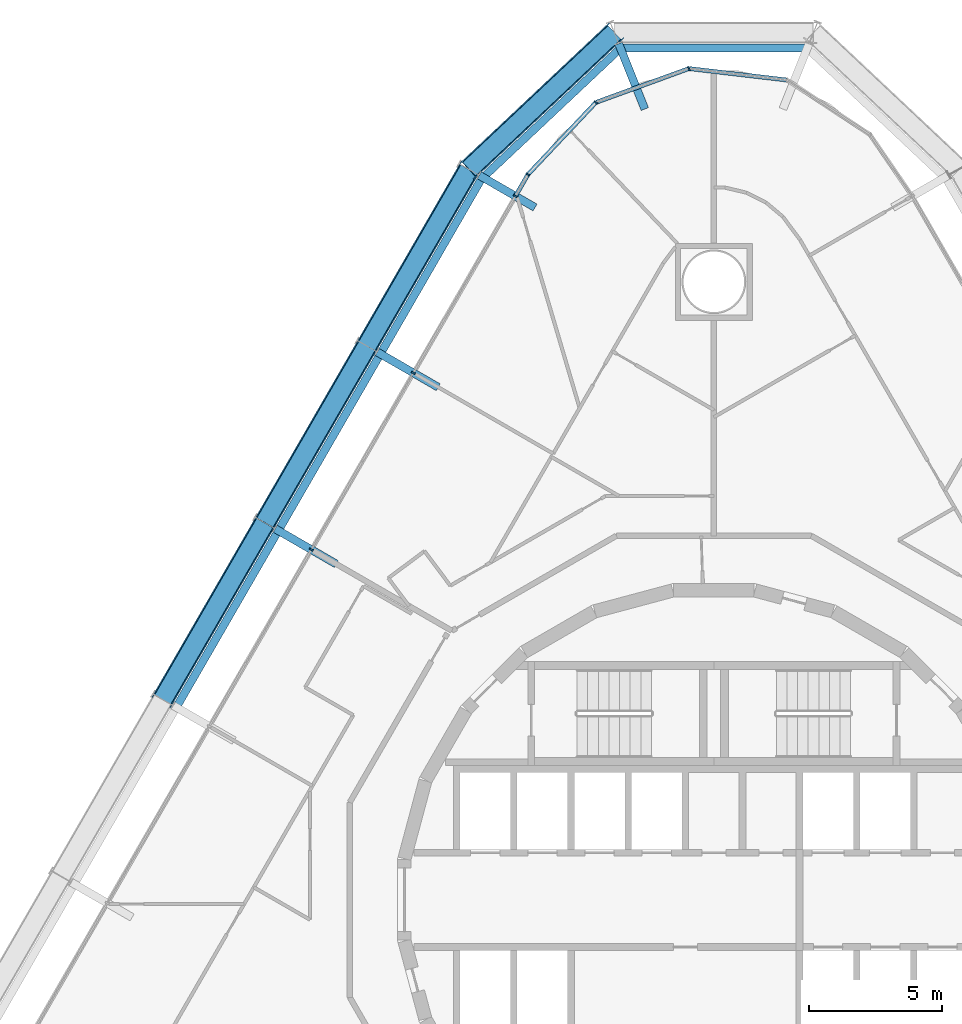
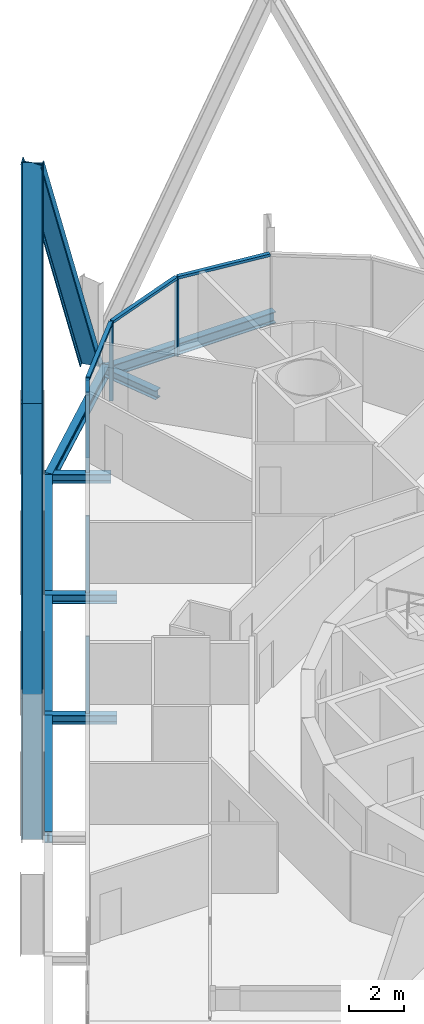
# One storey, part 10 of 21: 14 members, 9 beams, 2 elements without a shape of their own.
"""IFC4 building model written with IfcOpenShell, lengths in metres."""

from ifc_helpers import new_model, si_unit, direction, frame, origin, origin_2d, place, context, subcontext, project, spatial, rectangle, i_section, extrude, material, layer, layer_set, material_profile, profile_set, type_object, element, aggregate, save


model = new_model("IFC4")

# Units and contexts
model_context = context("Model", 3, precision=1e-05, world=origin(), true_north=direction((0.0, 1.0)))
body_context = subcontext(model_context, "Body", "Model", "MODEL_VIEW")
ifc_project = project(units=[si_unit("LENGTHUNIT", "METRE"), si_unit("AREAUNIT", "SQUARE_METRE"), si_unit("VOLUMEUNIT", "CUBIC_METRE"), si_unit("PLANEANGLEUNIT", "RADIAN"), si_unit("MASSUNIT", "GRAM", prefix="KILO")], contexts=[model_context])

# Site, building, storey
site_placement = place(None, origin())
site = spatial("IfcSite", under=ifc_project, at=site_placement, CompositionType="ELEMENT")
building_placement = place(site_placement, origin())
building = spatial("IfcBuilding", under=site, at=building_placement, Name="Spindle Arch Residences", CompositionType="ELEMENT")
storey_placement = place(building_placement, frame((0.0, 0.0, 38.39990234375)))
storey = spatial("IfcBuildingStorey", under=building, at=storey_placement, Name="L07", CompositionType="ELEMENT", Elevation=38.39990234375)

# Curtain wall, members
ifc_material_1 = material(Name="Aluminium bronze unitised frame with tinted glass", Category="aluminium")
ifc_layer_1 = layer(ifc_material_1, 0.159912109375)
ifc_layer_set_1 = layer_set([ifc_layer_1], Name="CW-D corner wall on the fillet arcs")
curtain_wall_type_1 = type_object("IfcCurtainWallType", Name="CW-D corner wall on the fillet arcs", PredefinedType="NOTDEFINED", material=ifc_layer_set_1)
curtain_wall_1_placement = place(storey_placement, origin())
curtain_wall_1 = element("IfcCurtainWall", 1, at=curtain_wall_1_placement, inside=storey, type_object=curtain_wall_type_1, Name="CW-D L07 run 3", PredefinedType="NOTDEFINED")
ifc_material_2 = material(Name="Aluminium bronze anodised mullion", Category="aluminium")
ifc_material_profile_1 = material_profile(ifc_material_2, rectangle(XDim=0.159912109375, YDim=0.06005859375, at=origin_2d()), Name="MU 60x160")
ifc_profile_set_1 = profile_set([ifc_material_profile_1], Name="Aluminium bronze anodised mullion")
member_type_1 = type_object("IfcMemberType", Name="Bronze mullion 60x160", PredefinedType="MULLION", material=ifc_profile_set_1)
member_1_placement = place(storey_placement, frame((-0.93798828125, 31.28515625, -0.449951171875), z_axis=(0.0, 0.0, 1.0), x_axis=(0.342020141538, -0.939692621437, 0.0)))
member_1 = element("IfcMember", 2, at=member_1_placement, type_object=member_type_1, Name="CW-D mullion 03", PredefinedType="MULLION", context=body_context, shape_type="SweptSolid", body=[
    extrude(rectangle(XDim=0.159912109375, YDim=0.06005859375, at=origin_2d()), origin(), (0.0, 0.0, 1.0), 3.449951171875),
])
member_2_placement = place(storey_placement, frame((-4.43994140625, 30.010498046875, -0.449951171875), z_axis=(0.0, 0.0, 1.0), x_axis=(0.727373640284, -0.686241639236, 0.0)))
member_2 = element("IfcMember", 3, at=member_2_placement, type_object=member_type_1, Name="CW-D mullion 04", PredefinedType="MULLION", context=body_context, shape_type="SweptSolid", body=[
    extrude(rectangle(XDim=0.159912109375, YDim=0.06005859375, at=origin_2d()), origin(), (0.0, 0.0, 1.0), 3.449951171875),
])
member_3_placement = place(storey_placement, frame((-6.99755859375, 27.2998046875, -0.449951171875), z_axis=(0.0, 0.0, 1.0), x_axis=(0.866025403784, -0.5, 0.0)))
member_3 = element("IfcMember", 4, at=member_3_placement, type_object=member_type_1, Name="CW-D mullion 05", PredefinedType="MULLION", context=body_context, shape_type="SweptSolid", body=[
    extrude(rectangle(XDim=0.159912109375, YDim=0.06005859375, at=origin_2d()), origin(), (0.0, 0.0, 1.0), 3.449951171875),
])

ifc_material_3 = material(Name="Aluminium bronze unitised frame with tinted glass", Category="aluminium")
ifc_layer_2 = layer(ifc_material_3, 0.159912109375)
ifc_layer_set_2 = layer_set([ifc_layer_2], Name="CW-C typical residential unitised wall")
curtain_wall_type_2 = type_object("IfcCurtainWallType", Name="CW-C typical residential unitised wall", PredefinedType="NOTDEFINED", material=ifc_layer_set_2)
curtain_wall_2_placement = place(storey_placement, origin())
curtain_wall_2 = element("IfcCurtainWall", 5, at=curtain_wall_2_placement, inside=storey, type_object=curtain_wall_type_2, Name="CW-C L07 run 4", PredefinedType="NOTDEFINED")
member_4_placement = place(storey_placement, frame((-7.46923828125, 26.48291015625, -0.449951171875), z_axis=(0.0, 0.0, 1.0), x_axis=(0.866025403784, -0.5, 0.0)))
member_4 = element("IfcMember", 6, at=member_4_placement, type_object=member_type_1, Name="CW-C mullion 13", PredefinedType="MULLION", context=body_context, shape_type="SweptSolid", body=[
    extrude(rectangle(XDim=0.159912109375, YDim=0.06005859375, at=origin_2d()), origin(), (0.0, 0.0, 1.0), 3.449951171875),
])
member_5_placement = place(storey_placement, frame((-11.309326171875, 19.83154296875, -0.449951171875), z_axis=(0.0, 0.0, 1.0), x_axis=(0.866025403784, -0.5, 0.0)))
member_5 = element("IfcMember", 7, at=member_5_placement, type_object=member_type_1, Name="CW-C mullion 14", PredefinedType="MULLION", context=body_context, shape_type="SweptSolid", body=[
    extrude(rectangle(XDim=0.159912109375, YDim=0.06005859375, at=origin_2d()), origin(), (0.0, 0.0, 1.0), 3.449951171875),
])
member_6_placement = place(storey_placement, frame((-15.149169921875, 13.180419921875, -0.449951171875), z_axis=(0.0, 0.0, 1.0), x_axis=(0.866025403784, -0.5, 0.0)))
member_6 = element("IfcMember", 8, at=member_6_placement, type_object=member_type_1, Name="CW-C mullion 15", PredefinedType="MULLION", context=body_context, shape_type="SweptSolid", body=[
    extrude(rectangle(XDim=0.159912109375, YDim=0.06005859375, at=origin_2d()), origin(), (0.0, 0.0, 1.0), 3.449951171875),
])
aggregate(curtain_wall_2, [member_4, member_5, member_6])

# Member
ifc_material_4 = material(Name="Aluminium bronze anodised transom", Category="aluminium")
ifc_material_profile_2 = material_profile(ifc_material_4, rectangle(XDim=0.159912109375, YDim=0.1201171875, at=origin_2d()), Name="TR 120x160")
ifc_profile_set_2 = profile_set([ifc_material_profile_2], Name="Aluminium bronze anodised transom")
member_type_2 = type_object("IfcMemberType", Name="Bronze transom 120x160", PredefinedType="USERDEFINED", material=ifc_profile_set_2)
member_7_placement = place(storey_placement, frame((2.733642578125, 30.85595703125, 3.06005859375), z_axis=(-0.993234881174, 0.116122654204, 0.0), x_axis=(-0.116122654204, -0.993234881174, 0.0)))
member_7 = element("IfcMember", 9, at=member_7_placement, type_object=member_type_2, Name="CW-D transom 02", ObjectType="TRANSOM", PredefinedType="USERDEFINED", context=body_context, shape_type="SweptSolid", body=[
    extrude(rectangle(XDim=0.159912109375, YDim=0.1201171875, at=origin_2d()), origin(), (0.0, 0.0, 1.0), 3.666748046875),
])

member_8_placement = place(storey_placement, frame((-0.96630859375, 31.27490234375, 3.06005859375), z_axis=(-0.939686455819, -0.342037080957, 0.0), x_axis=(0.342037080957, -0.939686455819, 0.0)))
member_8 = element("IfcMember", 10, at=member_8_placement, type_object=member_type_2, Name="CW-D transom 03", ObjectType="TRANSOM", PredefinedType="USERDEFINED", context=body_context, shape_type="SweptSolid", body=[
    extrude(rectangle(XDim=0.159912109375, YDim=0.1201171875, at=origin_2d()), origin(), (0.0, 0.0, 1.0), 3.666748046875),
])

member_9_placement = place(storey_placement, frame((-4.460693359375, 29.98876953125, 3.06005859375), z_axis=(-0.686199156324, -0.727413718498, 0.0), x_axis=(0.727413718498, -0.686199156324, 0.0)))
member_9 = element("IfcMember", 11, at=member_9_placement, type_object=member_type_2, Name="CW-D transom 04", ObjectType="TRANSOM", PredefinedType="USERDEFINED", context=body_context, shape_type="SweptSolid", body=[
    extrude(rectangle(XDim=0.159912109375, YDim=0.1201171875, at=origin_2d()), origin(), (0.0, 0.0, 1.0), 3.666748046875),
])

member_10_placement = place(storey_placement, frame((-7.012451171875, 27.27392578125, 3.06005859375), z_axis=(-0.499913830031, -0.866075148324, 0.0), x_axis=(0.866075148324, -0.499913830031, 0.0)))
member_10 = element("IfcMember", 12, at=member_10_placement, type_object=member_type_2, Name="CW-D transom 05", ObjectType="TRANSOM", PredefinedType="USERDEFINED", context=body_context, shape_type="SweptSolid", body=[
    extrude(rectangle(XDim=0.159912109375, YDim=0.1201171875, at=origin_2d()), origin(), (0.0, 0.0, 1.0), 0.883544921875),
])

aggregate(curtain_wall_1, [member_7, member_1, member_8, member_2, member_9, member_3, member_10])

# Members
ifc_material_5 = material(Name="Steel S460ML, intumescent coating R 240", Category="steel")
ifc_material_profile_3 = material_profile(ifc_material_5, i_section(OverallWidth=0.302978515625, OverallDepth=0.81396484375, WebThickness=0.02099609375, FlangeThickness=0.0400390625, FilletRadius=0.030029296875, at=origin_2d()), Name="HEM 800")
ifc_profile_set_3 = profile_set([ifc_material_profile_3], Name="Steel S460ML, intumescent coating R 240")
member_type_3 = type_object("IfcMemberType", Name="Diagrid diagonal HEM 800", PredefinedType="BRACE", material=ifc_profile_set_3)
member_11_placement = place(storey_placement, frame((-3.748291015625, 32.638671875, -0.699951171875), z_axis=(-0.34298287094, -0.322639023958, 0.882194315591), x_axis=(0.642571314928, 0.604457538371, 0.470885537619)))
element("IfcMember", 13, at=member_11_placement, inside=storey, type_object=member_type_3, Name="Diagrid diagonal 1.1.13", PredefinedType="BRACE", context=body_context, shape_type="SweptSolid", body=[
    extrude(i_section(OverallWidth=0.302978515625, OverallDepth=0.81396484375, WebThickness=0.02099609375, FlangeThickness=0.0400390625, FilletRadius=0.030029296875, at=origin_2d()), origin(), (0.0, 0.0, 1.0), 15.948974609375),
])
for number, where, z_axis, x_axis, name in (
    (14, (-13.05859375, 20.841796875, -0.699951171875), (0.239561156011, 0.414925587972, 0.877751222714), (-0.438880772287, -0.760151877386, 0.47911667788), "Diagrid diagonal 1.1.14"),
    (15, (-13.05859375, 20.841796875, -0.699951171875), (-0.239559642081, -0.414938196253, 0.877745675681), (0.438865916794, 0.760154049027, 0.479126840016), "Diagrid diagonal 1.1.15"),
    (16, (-20.73876953125, 7.539306640625, -0.699951171875), (0.239561156011, 0.414925587972, 0.877751222714), (-0.438880772287, -0.760151877386, 0.47911667788), "Diagrid diagonal 1.1.16"),
):
    element("IfcMember", number, at=place(storey_placement, frame(where, z_axis=z_axis, x_axis=x_axis)), inside=storey, type_object=member_type_3, Name=name, PredefinedType="BRACE", context=body_context, shape_type="SweptSolid", body=[
        extrude(i_section(OverallWidth=0.302978515625, OverallDepth=0.81396484375, WebThickness=0.02099609375, FlangeThickness=0.0400390625, FilletRadius=0.030029296875, at=origin_2d()), origin(), (0.0, 0.0, 1.0), 16.02978515625),
    ])

# Beams
ifc_material_6 = material(Name="Steel S460ML, intumescent coating R 120", Category="steel")
ifc_material_profile_4 = material_profile(ifc_material_6, i_section(OverallWidth=0.300048828125, OverallDepth=0.5, WebThickness=0.014404296875, FlangeThickness=0.028076171875, FilletRadius=0.027099609375, at=origin_2d()), Name="HEB 500")
ifc_profile_set_4 = profile_set([ifc_material_profile_4], Name="Steel S460ML, intumescent coating R 120")
beam_type_1 = type_object("IfcBeamType", Name="Exoskeleton edge beam HEB 500", PredefinedType="BEAM", material=ifc_profile_set_4)
beam_1_placement = place(storey_placement, frame((3.6181640625, 32.051513671875, -0.699951171875), z_axis=(-1.0, 0.0, 0.0), x_axis=(0.0, -1.0, 0.0)))
element("IfcBeam", 17, at=beam_1_placement, inside=storey, type_object=beam_type_1, Name="Exoskeleton edge beam 12", PredefinedType="BEAM", context=body_context, shape_type="SweptSolid", body=[
    extrude(i_section(OverallWidth=0.300048828125, OverallDepth=0.5, WebThickness=0.014404296875, FlangeThickness=0.028076171875, FilletRadius=0.027099609375, at=origin_2d()), origin(), (0.0, 0.0, 1.0), 7.236328125),
])
beam_2_placement = place(storey_placement, frame((-3.45849609375, 32.105712890625, -0.699951171875), z_axis=(-0.728394714383, -0.685157748303, 0.0), x_axis=(0.685157748303, -0.728394714383, 0.0)))
element("IfcBeam", 18, at=beam_2_placement, inside=storey, type_object=beam_type_1, Name="Exoskeleton edge beam 13", PredefinedType="BEAM", context=body_context, shape_type="SweptSolid", body=[
    extrude(i_section(OverallWidth=0.300048828125, OverallDepth=0.5, WebThickness=0.014404296875, FlangeThickness=0.028076171875, FilletRadius=0.027099609375, at=origin_2d()), origin(), (0.0, 0.0, 1.0), 7.250244140625),
])
beam_3_placement = place(storey_placement, frame((-8.775146484375, 27.086669921875, -0.699951171875), z_axis=(-0.500003477455, -0.866023396066, 0.0), x_axis=(0.866023396066, -0.500003477455, 0.0)))
element("IfcBeam", 19, at=beam_3_placement, inside=storey, type_object=beam_type_1, Name="Exoskeleton edge beam 14", PredefinedType="BEAM", context=body_context, shape_type="SweptSolid", body=[
    extrude(i_section(OverallWidth=0.300048828125, OverallDepth=0.5, WebThickness=0.014404296875, FlangeThickness=0.028076171875, FilletRadius=0.027099609375, at=origin_2d()), origin(), (0.0, 0.0, 1.0), 7.419921875),
])
for number, where, z_axis, x_axis, name in (
    (20, (-12.615234375, 20.435546875, -0.699951171875), (-0.49998923004, -0.866031621735, 0.0), (0.866031621735, -0.49998923004, 0.0), "Exoskeleton edge beam 15"),
    (21, (-16.455078125, 13.784423828125, -0.699951171875), (-0.5000139068, -0.866017374541, 0.0), (0.866017374541, -0.5000139068, 0.0), "Exoskeleton edge beam 16"),
):
    element("IfcBeam", number, at=place(storey_placement, frame(where, z_axis=z_axis, x_axis=x_axis)), inside=storey, type_object=beam_type_1, Name=name, PredefinedType="BEAM", context=body_context, shape_type="SweptSolid", body=[
        extrude(i_section(OverallWidth=0.300048828125, OverallDepth=0.5, WebThickness=0.014404296875, FlangeThickness=0.028076171875, FilletRadius=0.027099609375, at=origin_2d()), origin(), (0.0, 0.0, 1.0), 7.420166015625),
    ])
ifc_material_7 = material(Name="Steel S460ML, intumescent coating R 120", Category="steel")
ifc_material_profile_5 = material_profile(ifc_material_7, i_section(OverallWidth=0.300048828125, OverallDepth=0.389892578125, WebThickness=0.010986328125, FlangeThickness=0.01904296875, FilletRadius=0.027099609375, at=origin_2d()), Name="HEA 400")
ifc_profile_set_5 = profile_set([ifc_material_profile_5], Name="Steel S460ML, intumescent coating R 120")
beam_type_2 = type_object("IfcBeamType", Name="Floor outrigger HEA 400", PredefinedType="BEAM", material=ifc_profile_set_5)
beam_4_placement = place(storey_placement, frame((-3.581298828125, 32.220703125, -0.64501953125), z_axis=(0.371104734129, -0.928591016706, 0.0), x_axis=(0.928591016706, 0.371104734129, 0.0)))
element("IfcBeam", 22, at=beam_4_placement, inside=storey, type_object=beam_type_2, Name="Floor outrigger 13", PredefinedType="BEAM", context=body_context, shape_type="SweptSolid", body=[
    extrude(i_section(OverallWidth=0.300048828125, OverallDepth=0.389892578125, WebThickness=0.010986328125, FlangeThickness=0.01904296875, FilletRadius=0.027099609375, at=origin_2d()), origin(), (0.0, 0.0, 1.0), 2.64990234375),
])
beam_5_placement = place(storey_placement, frame((-8.828857421875, 27.267822265625, -0.64501953125), z_axis=(0.866002732682, -0.500039265445, 0.0), x_axis=(0.500039265445, 0.866002732682, 0.0)))
element("IfcBeam", 23, at=beam_5_placement, inside=storey, type_object=beam_type_2, Name="Floor outrigger 14", PredefinedType="BEAM", context=body_context, shape_type="SweptSolid", body=[
    extrude(i_section(OverallWidth=0.300048828125, OverallDepth=0.389892578125, WebThickness=0.010986328125, FlangeThickness=0.01904296875, FilletRadius=0.027099609375, at=origin_2d()), origin(), (0.0, 0.0, 1.0), 2.423583984375),
])
for number, where, z_axis, x_axis, name in (
    (24, (-12.6689453125, 20.61669921875, -0.64501953125), (0.866052124492, -0.499953715521, 0.0), (0.499953715521, 0.866052124492, 0.0), "Floor outrigger 15"),
    (25, (-16.5087890625, 13.965576171875, -0.64501953125), (0.865989200783, -0.500062700197, 0.0), (0.500062700197, 0.865989200783, 0.0), "Floor outrigger 16"),
):
    element("IfcBeam", number, at=place(storey_placement, frame(where, z_axis=z_axis, x_axis=x_axis)), inside=storey, type_object=beam_type_2, Name=name, PredefinedType="BEAM", context=body_context, shape_type="SweptSolid", body=[
        extrude(i_section(OverallWidth=0.300048828125, OverallDepth=0.389892578125, WebThickness=0.010986328125, FlangeThickness=0.01904296875, FilletRadius=0.027099609375, at=origin_2d()), origin(), (0.0, 0.0, 1.0), 2.650146484375),
    ])

save(model, "model.ifc")
